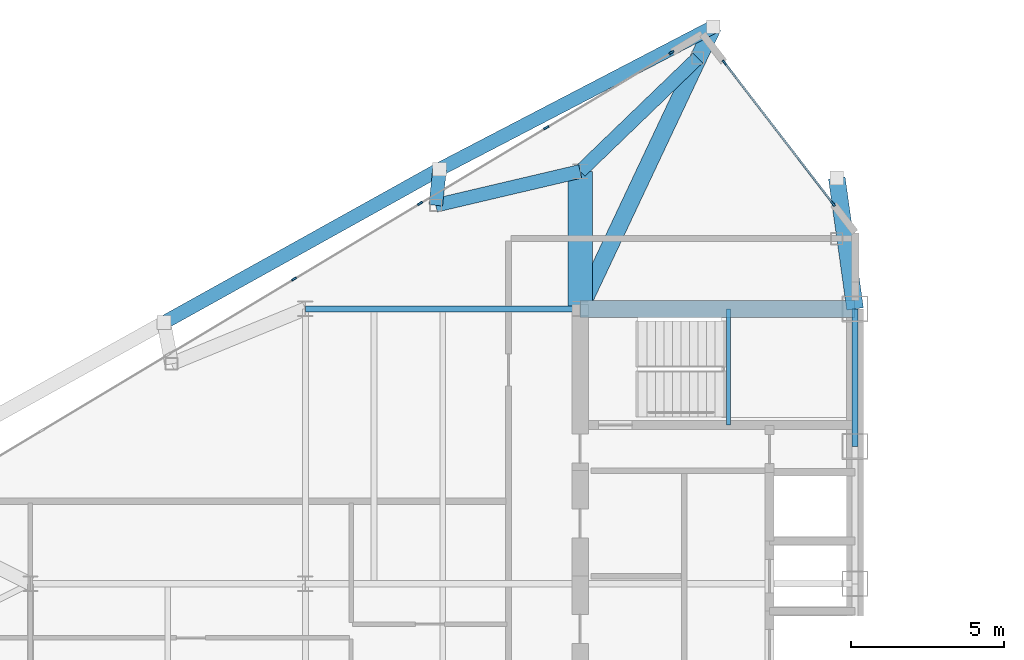
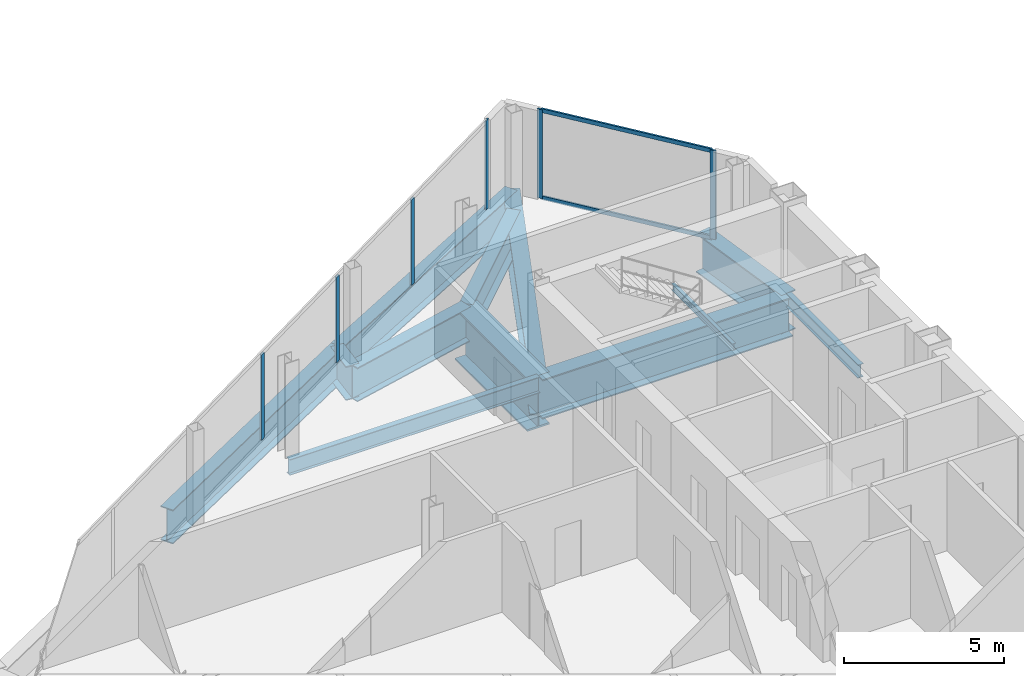
# One storey, part 12 of 29: 12 beams, 8 members, 2 elements without a shape of their own.
"""IFC4 building model written with IfcOpenShell, lengths in metres."""

from ifc_helpers import new_model, si_unit, direction, frame, origin, origin_2d, place, context, subcontext, project, spatial, rectangle, i_section, extrude, source, transform, mapped, material, layer, layer_set, material_profile, profile_set, type_object, type_shapes, element, aggregate, save


model = new_model("IFC4")

# Units and contexts
model_context = context("Model", 3, precision=1e-05, world=origin(), true_north=direction((0.0, 1.0)))
body_context = subcontext(model_context, "Body", "Model", "MODEL_VIEW")
ifc_project = project(units=[si_unit("LENGTHUNIT", "METRE"), si_unit("AREAUNIT", "SQUARE_METRE"), si_unit("VOLUMEUNIT", "CUBIC_METRE"), si_unit("PLANEANGLEUNIT", "RADIAN"), si_unit("MASSUNIT", "GRAM", prefix="KILO")], contexts=[model_context])

# Site, building, storey
site_placement = place(None, origin())
site = spatial("IfcSite", under=ifc_project, at=site_placement, CompositionType="ELEMENT")
building_placement = place(site_placement, origin())
building = spatial("IfcBuilding", under=site, at=building_placement, Name="Seokmaru Belvedere", CompositionType="ELEMENT")
storey_placement = place(building_placement, frame((0.0, 0.0, 195.89990234375)))
storey = spatial("IfcBuildingStorey", under=building, at=storey_placement, Name="L52", CompositionType="ELEMENT", Elevation=195.89990234375)

# Beams
ifc_material_1 = material(Name="Steel SM355 (355 MPa)", Category="steel")
ifc_material_profile_1 = material_profile(ifc_material_1, i_section(OverallWidth=0.199951171875, OverallDepth=0.5, WebThickness=0.010009765625, FlangeThickness=0.01611328125, at=origin_2d()), Name="H-500x200x10x16")
ifc_profile_set_1 = profile_set([ifc_material_profile_1], Name="Steel SM355 (355 MPa)")
beam_type_1 = type_object("IfcBeamType", Name="Perimeter Spandrel Beam H-500", PredefinedType="SPANDREL", material=ifc_profile_set_1)
shared_shape_1 = source(origin(), body_context, "Body", "SweptSolid", [
    extrude(i_section(OverallWidth=0.199951171875, OverallDepth=0.5, WebThickness=0.010009765625, FlangeThickness=0.01611328125, at=origin_2d()), origin(), (0.0, 0.0, 1.0), 4.5),
])
type_shapes(beam_type_1, [shared_shape_1])
beam_1_placement = place(storey_placement, frame((-27.5, 9.0, -0.469970703125), z_axis=(0.0, 1.0, 0.0), x_axis=(-1.0, 0.0, 0.0)))
element("IfcBeam", 1, at=beam_1_placement, inside=storey, type_object=beam_type_1, Name="L52 W Portal Spine Spandrel 5", PredefinedType="SPANDREL", context=body_context, shape_type="MappedRepresentation", body=[
    mapped(shared_shape_1, transform((0.0, 0.0, 0.0), scale=1.0)),
])
ifc_material_2 = material(Name="Steel HSA650 (650 MPa)", Category="steel")
ifc_material_profile_2 = material_profile(ifc_material_2, i_section(OverallWidth=0.800048828125, OverallDepth=2.0, WebThickness=0.0400390625, FlangeThickness=0.070068359375, at=origin_2d()), Name="BH-2000x800x40x70")
ifc_profile_set_2 = profile_set([ifc_material_profile_2], Name="Steel HSA650 (650 MPa)")
beam_type_2 = type_object("IfcBeamType", Name="Sky-Gate Transfer Truss Chord Girder BH-2000", PredefinedType="BEAM", material=ifc_profile_set_2)
shared_shape_2 = source(origin(), body_context, "Body", "SweptSolid", [
    extrude(i_section(OverallWidth=0.800048828125, OverallDepth=2.0, WebThickness=0.0400390625, FlangeThickness=0.070068359375, at=origin_2d()), origin(), (0.0, 0.0, 1.0), 4.5),
])
type_shapes(beam_type_2, [shared_shape_2])
beam_2_placement = place(storey_placement, frame((-36.5, 13.5, -1.219970703125), z_axis=(0.0, 1.0, 0.0), x_axis=(-1.0, 0.0, 0.0)))
element("IfcBeam", 2, at=beam_2_placement, inside=storey, type_object=beam_type_2, Name="L52 W Core Shoulder Girder N", PredefinedType="BEAM", context=body_context, shape_type="MappedRepresentation", body=[
    mapped(shared_shape_2, transform((0.0, 0.0, 0.0), scale=1.0)),
])
ifc_material_profile_3 = material_profile(ifc_material_2, i_section(OverallWidth=0.550048828125, OverallDepth=1.5, WebThickness=0.028076171875, FlangeThickness=0.044921875, at=origin_2d()), Name="BH-1500x550x28x45")
ifc_profile_set_3 = profile_set([ifc_material_profile_3], Name="Steel HSA650 (650 MPa)")
beam_type_3 = type_object("IfcBeamType", Name="Setback Transfer Girder BH-1500", PredefinedType="BEAM", material=ifc_profile_set_3)
shared_shape_3 = source(origin(), body_context, "Body", "SweptSolid", [
    extrude(i_section(OverallWidth=0.550048828125, OverallDepth=1.5, WebThickness=0.028076171875, FlangeThickness=0.044921875, at=origin_2d()), origin(), (0.0, 0.0, 1.0), 9.0),
])
beam_3_placement = place(storey_placement, frame((-36.5, 13.5, -0.969970703125), z_axis=(1.0, 0.0, 0.0), x_axis=(0.0, 1.0, 0.0)))
element("IfcBeam", 3, at=beam_3_placement, inside=storey, type_object=beam_type_3, Name="L52 W Core Transfer Header 4", PredefinedType="BEAM", context=body_context, shape_type="MappedRepresentation", body=[
    mapped(shared_shape_3, transform((0.0, 0.0, 0.0), scale=1.0)),
])
ifc_material_profile_4 = material_profile(ifc_material_1, i_section(OverallWidth=0.199951171875, OverallDepth=0.60009765625, WebThickness=0.010986328125, FlangeThickness=0.01708984375, at=origin_2d()), Name="H-600x200x11x17")
ifc_profile_set_4 = profile_set([ifc_material_profile_4], Name="Steel SM355 (355 MPa)")
beam_type_4 = type_object("IfcBeamType", Name="Primary Floor Girder H-600", PredefinedType="BEAM", material=ifc_profile_set_4)
shared_shape_4 = source(origin(), body_context, "Body", "SweptSolid", [
    extrude(i_section(OverallWidth=0.199951171875, OverallDepth=0.60009765625, WebThickness=0.010986328125, FlangeThickness=0.01708984375, at=origin_2d()), origin(), (0.0, 0.0, 1.0), 9.0),
])
type_shapes(beam_type_4, [shared_shape_4])
beam_4_placement = place(storey_placement, frame((-45.5, 13.5, -0.52001953125), z_axis=(1.0, 0.0, 0.0), x_axis=(0.0, 1.0, 0.0)))
element("IfcBeam", 4, at=beam_4_placement, inside=storey, type_object=beam_type_4, Name="L52 W Wing Primary Girder 4", PredefinedType="BEAM", context=body_context, shape_type="MappedRepresentation", body=[
    mapped(shared_shape_4, transform((0.0, 0.0, 0.0), scale=1.0)),
])
ifc_material_profile_5 = material_profile(ifc_material_2, i_section(OverallWidth=0.449951171875, OverallDepth=1.300048828125, WebThickness=0.02197265625, FlangeThickness=0.0380859375, at=origin_2d()), Name="BH-1300x450x22x38")
ifc_profile_set_5 = profile_set([ifc_material_profile_5], Name="Steel HSA650 (650 MPa)")
beam_type_5 = type_object("IfcBeamType", Name="Observatory Long-Span Roof Girder BH-1300", PredefinedType="BEAM", material=ifc_profile_set_5)
shared_shape_5 = source(origin(), body_context, "Body", "SweptSolid", [
    extrude(i_section(OverallWidth=0.449951171875, OverallDepth=1.300048828125, WebThickness=0.02197265625, FlangeThickness=0.0380859375, at=origin_2d()), origin(), (0.0, 0.0, 1.0), 10.09716796875),
])
beam_5_placement = place(storey_placement, frame((-32.146728515625, 22.731689453125, -0.869873046875), z_axis=(-0.887085728914, -0.461604711369, 0.0), x_axis=(0.461604711369, -0.887085728914, 0.0)))
element("IfcBeam", 5, at=beam_5_placement, inside=storey, type_object=beam_type_5, Name="L52 W Faceted Flank Spandrel N-1", PredefinedType="BEAM", context=body_context, shape_type="MappedRepresentation", body=[
    mapped(shared_shape_5, transform((0.0, 0.0, 0.0), scale=1.0)),
])
shared_shape_6 = source(origin(), body_context, "Body", "SweptSolid", [
    extrude(i_section(OverallWidth=0.449951171875, OverallDepth=1.300048828125, WebThickness=0.02197265625, FlangeThickness=0.0380859375, at=origin_2d()), origin(), (0.0, 0.0, 1.0), 10.327392578125),
])
beam_6_placement = place(storey_placement, frame((-41.103759765625, 18.07080078125, -0.869873046875), z_axis=(-0.873924120588, -0.486062374037, 0.0), x_axis=(0.486062374037, -0.873924120588, 0.0)))
element("IfcBeam", 6, at=beam_6_placement, inside=storey, type_object=beam_type_5, Name="L52 W Faceted Flank Spandrel N-2", PredefinedType="BEAM", context=body_context, shape_type="MappedRepresentation", body=[
    mapped(shared_shape_6, transform((0.0, 0.0, 0.0), scale=1.0)),
])
shared_shape_7 = source(origin(), body_context, "Body", "SweptSolid", [
    extrude(i_section(OverallWidth=0.550048828125, OverallDepth=1.5, WebThickness=0.028076171875, FlangeThickness=0.044921875, at=origin_2d()), origin(), (0.0, 0.0, 1.0), 4.32763671875),
])
beam_7_placement = place(storey_placement, frame((-28.10009765625, 17.785888671875, -0.969970703125), z_axis=(0.138664443237, -0.990339422714, 0.0), x_axis=(0.990339422714, 0.138664443237, 0.0)))
element("IfcBeam", 7, at=beam_7_placement, inside=storey, type_object=beam_type_3, Name="L52 W Setback Transfer Girder 2", PredefinedType="BEAM", context=body_context, shape_type="MappedRepresentation", body=[
    mapped(shared_shape_7, transform((0.0, 0.0, 0.0), scale=1.0)),
])
shared_shape_8 = source(origin(), body_context, "Body", "SweptSolid", [
    extrude(i_section(OverallWidth=0.550048828125, OverallDepth=1.5, WebThickness=0.028076171875, FlangeThickness=0.044921875, at=origin_2d()), origin(), (0.0, 0.0, 1.0), 10.20654296875),
])
type_shapes(beam_type_3, [shared_shape_3, shared_shape_7, shared_shape_8])
beam_8_placement = place(storey_placement, frame((-32.146728515625, 22.731689453125, -0.969970703125), z_axis=(-0.426514565186, -0.904480693926, 0.0), x_axis=(0.904480693926, -0.426514565186, 0.0)))
element("IfcBeam", 8, at=beam_8_placement, inside=storey, type_object=beam_type_3, Name="L52 W Setback Transfer Girder 3", PredefinedType="BEAM", context=body_context, shape_type="MappedRepresentation", body=[
    mapped(shared_shape_8, transform((0.0, 0.0, 0.0), scale=1.0)),
])
shared_shape_9 = source(origin(), body_context, "Body", "SweptSolid", [
    extrude(i_section(OverallWidth=0.449951171875, OverallDepth=1.300048828125, WebThickness=0.02197265625, FlangeThickness=0.0380859375, at=origin_2d()), origin(), (0.0, 0.0, 1.0), 5.34716796875),
])
beam_9_placement = place(storey_placement, frame((-32.649658203125, 21.71044921875, -0.869873046875), z_axis=(-0.72006669236, -0.693904862754, 0.0), x_axis=(0.693904862754, -0.72006669236, 0.0)))
element("IfcBeam", 9, at=beam_9_placement, inside=storey, type_object=beam_type_5, Name="L52 W Shoulder Sanity Tie Girder 3", PredefinedType="BEAM", context=body_context, shape_type="MappedRepresentation", body=[
    mapped(shared_shape_9, transform((0.0, 0.0, 0.0), scale=1.0)),
])
shared_shape_10 = source(origin(), body_context, "Body", "SweptSolid", [
    extrude(i_section(OverallWidth=0.449951171875, OverallDepth=1.300048828125, WebThickness=0.02197265625, FlangeThickness=0.0380859375, at=origin_2d()), origin(), (0.0, 0.0, 1.0), 1.1884765625),
])
beam_10_placement = place(storey_placement, frame((-41.103759765625, 18.07080078125, -0.869873046875), z_axis=(-0.105989159107, -0.994367285339, 0.0), x_axis=(0.994367285339, -0.105989159107, 0.0)))
element("IfcBeam", 10, at=beam_10_placement, inside=storey, type_object=beam_type_5, Name="L52 W Flank Setback Step Girder N-1", PredefinedType="BEAM", context=body_context, shape_type="MappedRepresentation", body=[
    mapped(shared_shape_10, transform((0.0, 0.0, 0.0), scale=1.0)),
])
shared_shape_11 = source(origin(), body_context, "Body", "SweptSolid", [
    extrude(i_section(OverallWidth=0.449951171875, OverallDepth=1.300048828125, WebThickness=0.02197265625, FlangeThickness=0.0380859375, at=origin_2d()), origin(), (0.0, 0.0, 1.0), 4.8583984375),
])
type_shapes(beam_type_5, [shared_shape_5, shared_shape_6, shared_shape_9, shared_shape_10, shared_shape_11])
beam_11_placement = place(storey_placement, frame((-41.229736328125, 16.888916015625, -0.869873046875), z_axis=(0.97349948295, 0.228689214211, 0.0), x_axis=(-0.228689214211, 0.97349948295, 0.0)))
element("IfcBeam", 11, at=beam_11_placement, inside=storey, type_object=beam_type_5, Name="L52 W Flank Setback Back-Span Girder N-1", PredefinedType="BEAM", context=body_context, shape_type="MappedRepresentation", body=[
    mapped(shared_shape_11, transform((0.0, 0.0, 0.0), scale=1.0)),
])

# Curtain wall, members
ifc_material_3 = material(Name="Bronze Triple Insulating Glass", Category="glass")
ifc_layer = layer(ifc_material_3, 0.179931640625)
ifc_layer_set = layer_set([ifc_layer], Name="Bronze Triple Insulating Glass")
curtain_wall_type = type_object("IfcCurtainWallType", Name="High-Rise Wind-Corner Curtain Wall System CW-5", PredefinedType="NOTDEFINED", material=ifc_layer_set)
curtain_wall_1_placement = place(storey_placement, origin())
curtain_wall_1 = element("IfcCurtainWall", 12, at=curtain_wall_1_placement, inside=storey, type_object=curtain_wall_type, Name="L52 Curtain Wall WF3", PredefinedType="NOTDEFINED")
ifc_material_4 = material(Name="Anodised Bronze Aluminium", Category="aluminium")
ifc_material_profile_6 = material_profile(ifc_material_4, rectangle(XDim=0.06494140625, YDim=0.179931640625, at=origin_2d()), Name="CW-M-65x180")
ifc_profile_set_6 = profile_set([ifc_material_profile_6], Name="Anodised Bronze Aluminium")
member_type_1 = type_object("IfcMemberType", Name="Bronze Unitised Mullion 65x180", PredefinedType="MULLION", material=ifc_profile_set_6)
shared_shape_12 = source(origin(), body_context, "Body", "SweptSolid", [
    extrude(rectangle(XDim=0.06494140625, YDim=0.179931640625, at=origin_2d()), origin(), (0.0, 0.0, 1.0), 3.25),
])
member_1_placement = place(storey_placement, frame((-37.614501953125, 19.43115234375, 0.065185546875), z_axis=(0.0, 0.0, 1.0), x_axis=(0.514494909364, -0.85749343335, 0.0)))
member_1 = element("IfcMember", 13, at=member_1_placement, type_object=member_type_1, Name="CW:L52:WF3 Mullion 2", PredefinedType="MULLION", context=body_context, shape_type="MappedRepresentation", body=[
    mapped(shared_shape_12, transform((0.0, 0.0, 0.0), scale=1.0)),
])
member_2_placement = place(storey_placement, frame((-41.7431640625, 16.9541015625, 0.065185546875), z_axis=(0.0, 0.0, 1.0), x_axis=(0.514494909364, -0.85749343335, 0.0)))
member_2 = element("IfcMember", 14, at=member_2_placement, type_object=member_type_1, Name="CW:L52:WF3 Mullion 3", PredefinedType="MULLION", context=body_context, shape_type="MappedRepresentation", body=[
    mapped(shared_shape_12, transform((0.0, 0.0, 0.0), scale=1.0)),
])
member_3_placement = place(storey_placement, frame((-45.87158203125, 14.47705078125, 0.065185546875), z_axis=(0.0, 0.0, 1.0), x_axis=(0.514494909364, -0.85749343335, 0.0)))
member_3 = element("IfcMember", 15, at=member_3_placement, type_object=member_type_1, Name="CW:L52:WF3 Mullion 4", PredefinedType="MULLION", context=body_context, shape_type="MappedRepresentation", body=[
    mapped(shared_shape_12, transform((0.0, 0.0, 0.0), scale=1.0)),
])

curtain_wall_2_placement = place(storey_placement, origin())
curtain_wall_2 = element("IfcCurtainWall", 16, at=curtain_wall_2_placement, inside=storey, type_object=curtain_wall_type, Name="L52 Curtain Wall WF2", PredefinedType="NOTDEFINED")
shared_shape_13 = source(origin(), body_context, "Body", "SweptSolid", [
    extrude(rectangle(XDim=0.06494140625, YDim=0.179931640625, at=origin_2d()), origin(), (0.0, 0.0, 1.0), 3.380126953125),
])
type_shapes(member_type_1, [shared_shape_12, shared_shape_13])
member_4_placement = place(storey_placement, frame((-28.220947265625, 16.937255859375, 0.0), z_axis=(0.0, 0.0, 1.0), x_axis=(-0.792631353244, -0.609701187349, 0.0)))
member_4 = element("IfcMember", 17, at=member_4_placement, type_object=member_type_1, Name="CW:L52:WF2 Mullion 1", PredefinedType="MULLION", context=body_context, shape_type="MappedRepresentation", body=[
    mapped(shared_shape_13, transform((0.0, 0.0, 0.0), scale=1.0)),
])
member_5_placement = place(storey_placement, frame((-31.779052734375, 21.562744140625, 0.0), z_axis=(0.0, 0.0, 1.0), x_axis=(-0.792631353244, -0.609701187349, 0.0)))
member_5 = element("IfcMember", 18, at=member_5_placement, type_object=member_type_1, Name="CW:L52:WF2 Mullion 2", PredefinedType="MULLION", context=body_context, shape_type="MappedRepresentation", body=[
    mapped(shared_shape_13, transform((0.0, 0.0, 0.0), scale=1.0)),
])

# Member
member_6_placement = place(storey_placement, frame((-33.513916015625, 21.8916015625, 0.0), z_axis=(0.0, 0.0, 1.0), x_axis=(0.514494909364, -0.85749343335, 0.0)))
member_6 = element("IfcMember", 19, at=member_6_placement, type_object=member_type_1, Name="CW:L52:WF3 Mullion 1", PredefinedType="MULLION", context=body_context, shape_type="MappedRepresentation", body=[
    mapped(shared_shape_13, transform((0.0, 0.0, 0.0), scale=1.0)),
])

aggregate(curtain_wall_1, [member_6, member_1, member_2, member_3])

ifc_material_profile_7 = material_profile(ifc_material_4, rectangle(XDim=0.06494140625, YDim=0.14990234375, at=origin_2d()), Name="CW-T-65x150")
ifc_profile_set_7 = profile_set([ifc_material_profile_7], Name="Anodised Bronze Aluminium")
member_type_2 = type_object("IfcMemberType", Name="Bronze Unitised Transom 65x150", PredefinedType="USERDEFINED", material=ifc_profile_set_7)
shared_shape_14 = source(origin(), body_context, "Body", "SweptSolid", [
    extrude(rectangle(XDim=0.06494140625, YDim=0.14990234375, at=origin_2d()), origin(), (0.0, 0.0, 1.0), 5.77099609375),
])
type_shapes(member_type_2, [shared_shape_14])
member_7_placement = place(storey_placement, frame((-28.24072265625, 16.962890625, 0.03271484375), z_axis=(-0.60970258286, 0.792630279799, 0.0), x_axis=(-0.792630279799, -0.60970258286, 0.0)))
member_7 = element("IfcMember", 20, at=member_7_placement, type_object=member_type_2, Name="CW:L52:WF2 Continuous Transom 1", ObjectType="TRANSOM", PredefinedType="USERDEFINED", context=body_context, shape_type="MappedRepresentation", body=[
    mapped(shared_shape_14, transform((0.0, 0.0, 0.0), scale=1.0)),
])

member_8_placement = place(storey_placement, frame((-28.24072265625, 16.962890625, 3.34765625), z_axis=(-0.60970258286, 0.792630279799, 0.0), x_axis=(-0.792630279799, -0.60970258286, 0.0)))
member_8 = element("IfcMember", 21, at=member_8_placement, type_object=member_type_2, Name="CW:L52:WF2 Continuous Transom 2", ObjectType="TRANSOM", PredefinedType="USERDEFINED", context=body_context, shape_type="MappedRepresentation", body=[
    mapped(shared_shape_14, transform((0.0, 0.0, 0.0), scale=1.0)),
])

aggregate(curtain_wall_2, [member_4, member_5, member_7, member_8])

# Beam
ifc_material_profile_8 = material_profile(ifc_material_1, i_section(OverallWidth=0.125, OverallDepth=0.25, WebThickness=0.006103515625, FlangeThickness=0.009033203125, at=origin_2d()), Name="H-250x125x6x9")
ifc_profile_set_8 = profile_set([ifc_material_profile_8], Name="Steel SM355 (355 MPa)")
beam_type_6 = type_object("IfcBeamType", Name="Stair Mid-Landing Support Beam H-250", PredefinedType="JOIST", material=ifc_profile_set_8)
shared_shape_15 = source(origin(), body_context, "Body", "SweptSolid", [
    extrude(i_section(OverallWidth=0.125, OverallDepth=0.25, WebThickness=0.006103515625, FlangeThickness=0.009033203125, at=origin_2d()), origin(), (0.0, 0.0, 1.0), 3.800048828125),
])
type_shapes(beam_type_6, [shared_shape_15])
beam_12_placement = place(storey_placement, frame((-31.64990234375, 9.699951171875, 1.47509765625), z_axis=(0.0, 1.0, 0.0), x_axis=(-1.0, 0.0, 0.0)))
element("IfcBeam", 22, at=beam_12_placement, inside=storey, type_object=beam_type_6, Name="L52 Stair ST-W2 Mid-Landing Support Beam 1", PredefinedType="JOIST", context=body_context, shape_type="MappedRepresentation", body=[
    mapped(shared_shape_15, transform((0.0, 0.0, 0.0), scale=1.0)),
])

save(model, "model.ifc")
